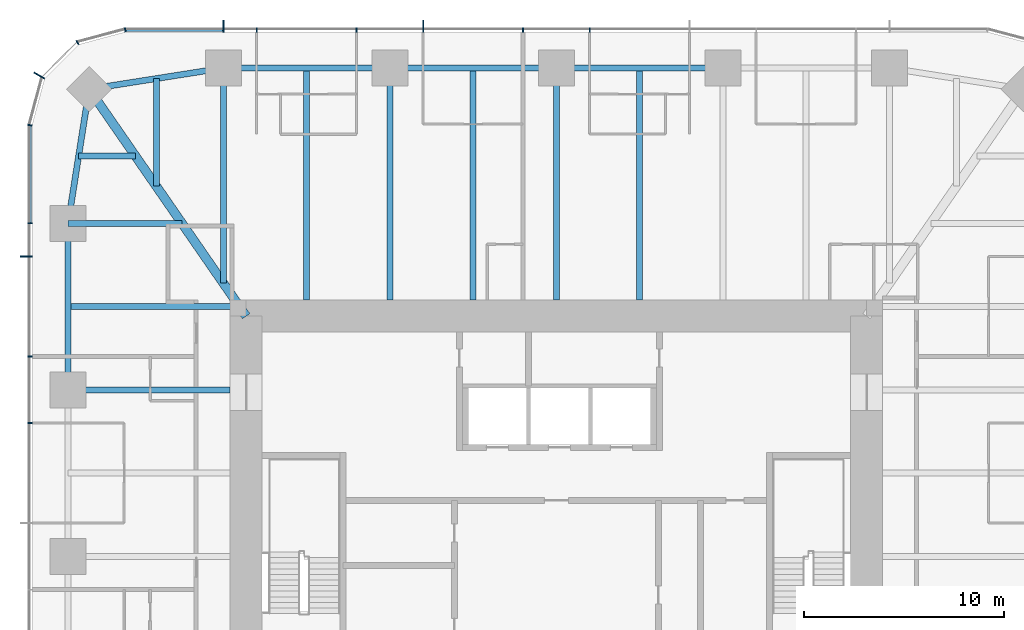
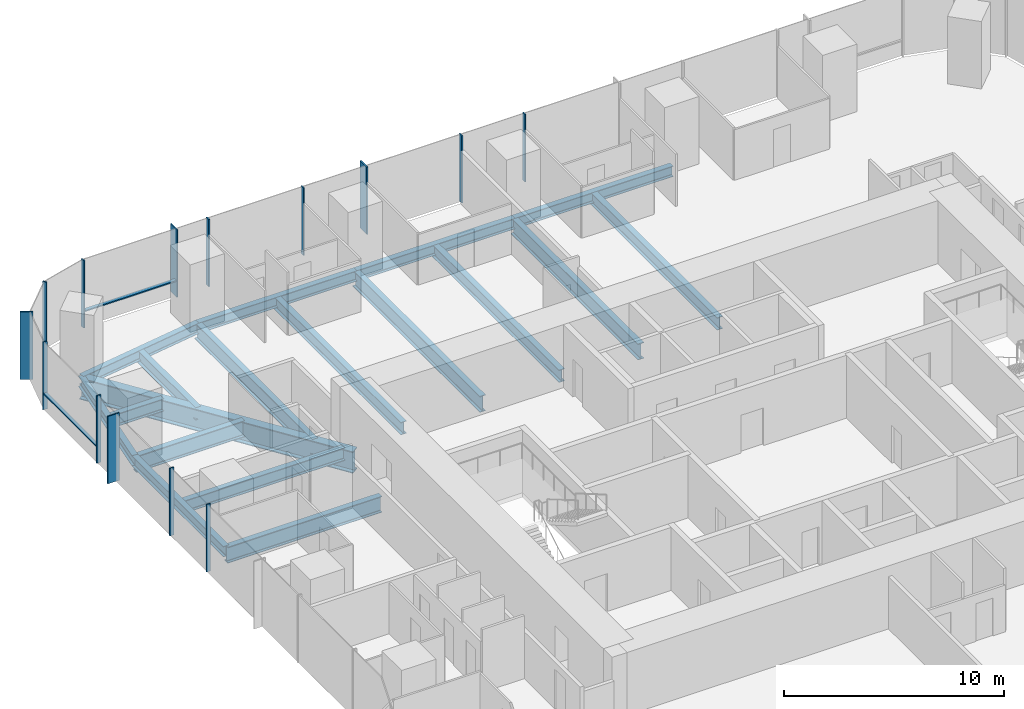
# One storey, part 5 of 12: 18 beams, 16 members, 3 elements without a shape of their own.
"""IFC4 building model written with IfcOpenShell, lengths in metres."""

from ifc_helpers import new_model, si_unit, direction, frame, origin, origin_2d, place, context, subcontext, project, spatial, rectangle, i_section, extrude, material, material_profile, profile_set, type_object, element, aggregate, save


model = new_model("IFC4")

# Units and contexts
model_context = context("Model", 3, precision=1e-05, world=origin(), true_north=direction((0.0, 1.0)))
body_context = subcontext(model_context, "Body", "Model", "MODEL_VIEW")
ifc_project = project(units=[si_unit("LENGTHUNIT", "METRE"), si_unit("AREAUNIT", "SQUARE_METRE"), si_unit("VOLUMEUNIT", "CUBIC_METRE"), si_unit("PLANEANGLEUNIT", "RADIAN"), si_unit("MASSUNIT", "GRAM", prefix="KILO")], contexts=[model_context])

# Site, building, storey
site_placement = place(None, origin())
site = spatial("IfcSite", under=ifc_project, at=site_placement, CompositionType="ELEMENT")
building_placement = place(site_placement, origin())
building = spatial("IfcBuilding", under=site, at=building_placement, Name="Khuree Lantern Residences", CompositionType="ELEMENT")
storey_placement = place(building_placement, frame((0.0, 0.0, 218.25)))
storey = spatial("IfcBuildingStorey", under=building, at=storey_placement, Name="L54", CompositionType="ELEMENT", Elevation=218.25)

# Beams
ifc_material_1 = material(Name="Steel S355", Category="steel")
ifc_material_profile_1 = material_profile(ifc_material_1, i_section(OverallWidth=0.300048828125, OverallDepth=0.68994140625, WebThickness=0.014404296875, FlangeThickness=0.027099609375, FilletRadius=0.027099609375, at=origin_2d()), Name="HE 700 A")
ifc_profile_set_1 = profile_set([ifc_material_profile_1], Name="Steel S355")
beam_type_1 = type_object("IfcBeamType", Name="B-32 SECONDARY BEAM HE 700 A", PredefinedType="BEAM", material=ifc_profile_set_1)
for number, where, z_axis, x_axis, name in (
    (1, (-12.47998046875, 24.39990234375, -0.594970703125), (0.0, -1.0, 0.0), (1.0, 0.0, 0.0), "Secondary beam N1"),
    (2, (-4.159912109375, 24.39990234375, -0.594970703125), (0.0, -1.0, 0.0), (1.0, 0.0, 0.0), "Secondary beam N2"),
    (3, (4.159912109375, 24.39990234375, -0.594970703125), (0.0, -1.0, 0.0), (1.0, 0.0, 0.0), "Secondary beam N3"),
):
    element("IfcBeam", number, at=place(storey_placement, frame(where, z_axis=z_axis, x_axis=x_axis)), inside=storey, type_object=beam_type_1, Name=name, PredefinedType="BEAM", context=body_context, shape_type="SweptSolid", body=[
        extrude(i_section(OverallWidth=0.300048828125, OverallDepth=0.68994140625, WebThickness=0.014404296875, FlangeThickness=0.027099609375, FilletRadius=0.027099609375, at=origin_2d()), origin(), (0.0, 0.0, 1.0), 11.599853515625),
    ])
beam_1_placement = place(storey_placement, frame((-24.39990234375, 12.47998046875, -0.594970703125), z_axis=(1.0, 0.0, 0.0), x_axis=(0.0, 1.0, 0.0)))
element("IfcBeam", 4, at=beam_1_placement, inside=storey, type_object=beam_type_1, Name="Secondary beam W5", PredefinedType="BEAM", context=body_context, shape_type="SweptSolid", body=[
    extrude(i_section(OverallWidth=0.300048828125, OverallDepth=0.68994140625, WebThickness=0.014404296875, FlangeThickness=0.027099609375, FilletRadius=0.027099609375, at=origin_2d()), origin(), (0.0, 0.0, 1.0), 8.56787109375),
])
beam_2_placement = place(storey_placement, frame((-23.872802734375, 19.992919921875, -0.594970703125), z_axis=(1.0, 0.0, 0.0), x_axis=(0.0, 1.0, 0.0)))
element("IfcBeam", 5, at=beam_2_placement, inside=storey, type_object=beam_type_1, Name="Secondary beam W6", PredefinedType="BEAM", context=body_context, shape_type="SweptSolid", body=[
    extrude(i_section(OverallWidth=0.300048828125, OverallDepth=0.68994140625, WebThickness=0.014404296875, FlangeThickness=0.027099609375, FilletRadius=0.027099609375, at=origin_2d()), origin(), (0.0, 0.0, 1.0), 2.845703125),
])
beam_3_placement = place(storey_placement, frame((-19.992919921875, 23.872802734375, -0.594970703125), z_axis=(0.0, -1.0, 0.0), x_axis=(1.0, 0.0, 0.0)))
element("IfcBeam", 6, at=beam_3_placement, inside=storey, type_object=beam_type_1, Name="Secondary beam N6", PredefinedType="BEAM", context=body_context, shape_type="SweptSolid", body=[
    extrude(i_section(OverallWidth=0.300048828125, OverallDepth=0.68994140625, WebThickness=0.014404296875, FlangeThickness=0.027099609375, FilletRadius=0.027099609375, at=origin_2d()), origin(), (0.0, 0.0, 1.0), 5.375732421875),
])
ifc_material_profile_2 = material_profile(ifc_material_1, i_section(OverallWidth=0.300048828125, OverallDepth=0.590087890625, WebThickness=0.012939453125, FlangeThickness=0.02490234375, FilletRadius=0.027099609375, at=origin_2d()), Name="HE 600 A")
ifc_profile_set_2 = profile_set([ifc_material_profile_2], Name="Steel S355")
beam_type_2 = type_object("IfcBeamType", Name="E-32 SPANDREL BEAM HE 600 A", PredefinedType="SPANDREL", material=ifc_profile_set_2)
beam_4_placement = place(storey_placement, frame((-16.639892578125, 24.39990234375, -0.544921875), z_axis=(1.0, 0.0, 0.0), x_axis=(0.0, 1.0, 0.0)))
element("IfcBeam", 7, at=beam_4_placement, inside=storey, type_object=beam_type_2, Name="Spandrel beam N1", PredefinedType="SPANDREL", context=body_context, shape_type="SweptSolid", body=[
    extrude(i_section(OverallWidth=0.300048828125, OverallDepth=0.590087890625, WebThickness=0.012939453125, FlangeThickness=0.02490234375, FilletRadius=0.027099609375, at=origin_2d()), origin(), (0.0, 0.0, 1.0), 8.31982421875),
])
for number, where, z_axis, x_axis, name in (
    (8, (-8.320068359375, 24.39990234375, -0.544921875), (1.0, 0.0, 0.0), (0.0, 1.0, 0.0), "Spandrel beam N2"),
    (9, (0.0, 24.39990234375, -0.544921875), (1.0, 0.0, 0.0), (0.0, 1.0, 0.0), "Spandrel beam N3"),
):
    element("IfcBeam", number, at=place(storey_placement, frame(where, z_axis=z_axis, x_axis=x_axis)), inside=storey, type_object=beam_type_2, Name=name, PredefinedType="SPANDREL", context=body_context, shape_type="SweptSolid", body=[
        extrude(i_section(OverallWidth=0.300048828125, OverallDepth=0.590087890625, WebThickness=0.012939453125, FlangeThickness=0.02490234375, FilletRadius=0.027099609375, at=origin_2d()), origin(), (0.0, 0.0, 1.0), 8.320068359375),
    ])
beam_5_placement = place(storey_placement, frame((-24.39990234375, 8.320068359375, -0.544921875), z_axis=(0.0, 1.0, 0.0), x_axis=(-1.0, 0.0, 0.0)))
element("IfcBeam", 10, at=beam_5_placement, inside=storey, type_object=beam_type_2, Name="Spandrel beam W5", PredefinedType="SPANDREL", context=body_context, shape_type="SweptSolid", body=[
    extrude(i_section(OverallWidth=0.300048828125, OverallDepth=0.590087890625, WebThickness=0.012939453125, FlangeThickness=0.02490234375, FilletRadius=0.027099609375, at=origin_2d()), origin(), (0.0, 0.0, 1.0), 8.31982421875),
])
for number, where, z_axis, x_axis, name in (
    (11, (-24.39990234375, 16.639892578125, -0.544921875), (0.155299507442, 0.98786743189, 0.0), (-0.98786743189, 0.155299507442, 0.0), "Spandrel beam W6"),
    (12, (-23.345703125, 23.345703125, -0.544921875), (0.98786743189, 0.155299507442, 0.0), (-0.155299507442, 0.98786743189, 0.0), "Spandrel beam N6"),
):
    element("IfcBeam", number, at=place(storey_placement, frame(where, z_axis=z_axis, x_axis=x_axis)), inside=storey, type_object=beam_type_2, Name=name, PredefinedType="SPANDREL", context=body_context, shape_type="SweptSolid", body=[
        extrude(i_section(OverallWidth=0.300048828125, OverallDepth=0.590087890625, WebThickness=0.012939453125, FlangeThickness=0.02490234375, FilletRadius=0.027099609375, at=origin_2d()), origin(), (0.0, 0.0, 1.0), 6.7880859375),
    ])

# Curtain wall, members
ifc_material_2 = material(Name="Bronze anodised aluminium", Category="aluminium")
curtain_wall_type_1 = type_object("IfcCurtainWallType", Name="CW-T1 TOWER FACE CURTAIN WALL", PredefinedType="USERDEFINED", material=ifc_material_2)
curtain_wall_1_placement = place(storey_placement, origin())
curtain_wall_1 = element("IfcCurtainWall", 13, at=curtain_wall_1_placement, inside=storey, type_object=curtain_wall_type_1, Name="L54 NORTH FACE CURTAIN WALL", ObjectType="Stick-built curtain wall", PredefinedType="USERDEFINED")
ifc_material_profile_3 = material_profile(ifc_material_2, rectangle(XDim=0.06494140625, YDim=0.60009765625, at=origin_2d()), Name="F1 65X600")
ifc_profile_set_3 = profile_set([ifc_material_profile_3], Name="Bronze anodised aluminium")
member_type_1 = type_object("IfcMemberType", Name="F1 BRONZE FIN MULLION TOWER 65X600", PredefinedType="MULLION", material=ifc_profile_set_3)
member_1_placement = place(storey_placement, frame((-6.656005859375, 26.5, 0.0), z_axis=(0.0, 0.0, 1.0), x_axis=(-1.0, 0.0, 0.0)))
member_1 = element("IfcMember", 14, at=member_1_placement, type_object=member_type_1, Name="L54 NORTH FACE FIN MULLION 25", PredefinedType="MULLION", context=body_context, shape_type="SweptSolid", body=[
    extrude(rectangle(XDim=0.06494140625, YDim=0.60009765625, at=origin_2d()), origin(), (0.0, 0.0, 1.0), 3.75),
])
member_2_placement = place(storey_placement, frame((-16.639892578125, 26.5, 0.0), z_axis=(0.0, 0.0, 1.0), x_axis=(-1.0, 0.0, 0.0)))
member_2 = element("IfcMember", 15, at=member_2_placement, type_object=member_type_1, Name="L54 NORTH FACE FIN MULLION 28", PredefinedType="MULLION", context=body_context, shape_type="SweptSolid", body=[
    extrude(rectangle(XDim=0.06494140625, YDim=0.60009765625, at=origin_2d()), origin(), (0.0, 0.0, 1.0), 3.75),
])

# Curtain wall, member
curtain_wall_type_2 = type_object("IfcCurtainWallType", Name="CW-T2 TOWER CORNER CURTAIN WALL", PredefinedType="USERDEFINED", material=ifc_material_2)
curtain_wall_2_placement = place(storey_placement, origin())
curtain_wall_2 = element("IfcCurtainWall", 16, at=curtain_wall_2_placement, inside=storey, type_object=curtain_wall_type_2, Name="L54 NORTH-WEST CORNER CURTAIN WALL", ObjectType="Faceted corner curtain wall", PredefinedType="USERDEFINED")
member_3_placement = place(storey_placement, frame((-25.8369140625, 24.02490234375, 0.0), z_axis=(0.0, 0.0, 1.0), x_axis=(-0.499999989586, -0.866025409797, 0.0)))
member_3 = element("IfcMember", 17, at=member_3_placement, type_object=member_type_1, Name="L54 NORTH-WEST CORNER FIN MULLION 31", PredefinedType="MULLION", context=body_context, shape_type="SweptSolid", body=[
    extrude(rectangle(XDim=0.06494140625, YDim=0.60009765625, at=origin_2d()), origin(), (0.0, 0.0, 1.0), 3.75),
])

curtain_wall_3_placement = place(storey_placement, origin())
curtain_wall_3 = element("IfcCurtainWall", 18, at=curtain_wall_3_placement, inside=storey, type_object=curtain_wall_type_1, Name="L54 WEST FACE CURTAIN WALL", ObjectType="Stick-built curtain wall", PredefinedType="USERDEFINED")
member_4_placement = place(storey_placement, frame((-26.5, 14.97607421875, 0.0), z_axis=(0.0, 0.0, 1.0), x_axis=(0.0, -1.0, 0.0)))
member_4 = element("IfcMember", 19, at=member_4_placement, type_object=member_type_1, Name="L54 WEST FACE FIN MULLION 34", PredefinedType="MULLION", context=body_context, shape_type="SweptSolid", body=[
    extrude(rectangle(XDim=0.06494140625, YDim=0.60009765625, at=origin_2d()), origin(), (0.0, 0.0, 1.0), 3.75),
])

# Beams
ifc_material_profile_4 = material_profile(ifc_material_1, i_section(OverallWidth=0.300048828125, OverallDepth=0.89990234375, WebThickness=0.0185546875, FlangeThickness=0.034912109375, FilletRadius=0.030029296875, at=origin_2d()), Name="HE 900 B")
ifc_profile_set_4 = profile_set([ifc_material_profile_4], Name="Steel S355")
beam_type_3 = type_object("IfcBeamType", Name="G-32 GIRDER HE 900 B", PredefinedType="BEAM", material=ifc_profile_set_4)
beam_6_placement = place(storey_placement, frame((-16.639892578125, 24.39990234375, -0.699951171875), z_axis=(0.0, -1.0, 0.0), x_axis=(1.0, 0.0, 0.0)))
element("IfcBeam", 20, at=beam_6_placement, inside=storey, type_object=beam_type_3, Name="Girder N1", PredefinedType="BEAM", context=body_context, shape_type="SweptSolid", body=[
    extrude(i_section(OverallWidth=0.300048828125, OverallDepth=0.89990234375, WebThickness=0.0185546875, FlangeThickness=0.034912109375, FilletRadius=0.030029296875, at=origin_2d()), origin(), (0.0, 0.0, 1.0), 10.751220703125),
])
for number, where, z_axis, x_axis, name in (
    (21, (-8.320068359375, 24.39990234375, -0.699951171875), (0.0, -1.0, 0.0), (1.0, 0.0, 0.0), "Girder N2"),
    (22, (0.0, 24.39990234375, -0.699951171875), (0.0, -1.0, 0.0), (1.0, 0.0, 0.0), "Girder N3"),
):
    element("IfcBeam", number, at=place(storey_placement, frame(where, z_axis=z_axis, x_axis=x_axis)), inside=storey, type_object=beam_type_3, Name=name, PredefinedType="BEAM", context=body_context, shape_type="SweptSolid", body=[
        extrude(i_section(OverallWidth=0.300048828125, OverallDepth=0.89990234375, WebThickness=0.0185546875, FlangeThickness=0.034912109375, FilletRadius=0.030029296875, at=origin_2d()), origin(), (0.0, 0.0, 1.0), 11.599853515625),
    ])
beam_7_placement = place(storey_placement, frame((-24.39990234375, 8.320068359375, -0.699951171875), z_axis=(1.0, 0.0, 0.0), x_axis=(0.0, 1.0, 0.0)))
element("IfcBeam", 23, at=beam_7_placement, inside=storey, type_object=beam_type_3, Name="Girder W4", PredefinedType="BEAM", context=body_context, shape_type="SweptSolid", body=[
    extrude(i_section(OverallWidth=0.300048828125, OverallDepth=0.89990234375, WebThickness=0.0185546875, FlangeThickness=0.034912109375, FilletRadius=0.030029296875, at=origin_2d()), origin(), (0.0, 0.0, 1.0), 8.099853515625),
])
beam_8_placement = place(storey_placement, frame((-24.39990234375, 16.639892578125, -0.699951171875), z_axis=(1.0, 0.0, 0.0), x_axis=(0.0, 1.0, 0.0)))
element("IfcBeam", 24, at=beam_8_placement, inside=storey, type_object=beam_type_3, Name="Girder W5", PredefinedType="BEAM", context=body_context, shape_type="SweptSolid", body=[
    extrude(i_section(OverallWidth=0.300048828125, OverallDepth=0.89990234375, WebThickness=0.0185546875, FlangeThickness=0.034912109375, FilletRadius=0.030029296875, at=origin_2d()), origin(), (0.0, 0.0, 1.0), 5.69140625),
])
ifc_material_profile_5 = material_profile(ifc_material_1, i_section(OverallWidth=0.449951171875, OverallDepth=1.199951171875, WebThickness=0.02490234375, FlangeThickness=0.044921875, at=origin_2d()), Name="WELDED I 1200X450X25X45")
ifc_profile_set_5 = profile_set([ifc_material_profile_5], Name="Steel S355")
beam_type_4 = type_object("IfcBeamType", Name="GD-32 CORNER GIRDER WELDED I 1200X450X25X45", PredefinedType="BEAM", material=ifc_profile_set_5)
beam_9_placement = place(storey_placement, frame((-23.345703125, 23.345703125, -0.85009765625), z_axis=(0.56876813501, -0.822497907959, 0.0), x_axis=(0.822497907959, 0.56876813501, 0.0)))
element("IfcBeam", 25, at=beam_9_placement, inside=storey, type_object=beam_type_4, Name="Corner girder NW", PredefinedType="BEAM", context=body_context, shape_type="SweptSolid", body=[
    extrude(i_section(OverallWidth=0.449951171875, OverallDepth=1.199951171875, WebThickness=0.02490234375, FlangeThickness=0.044921875, at=origin_2d()), origin(), (0.0, 0.0, 1.0), 13.794189453125),
])

# Member
ifc_material_profile_6 = material_profile(ifc_material_2, rectangle(XDim=0.06494140625, YDim=0.219970703125, at=origin_2d()), Name="M1 65X220")
ifc_profile_set_6 = profile_set([ifc_material_profile_6], Name="Bronze anodised aluminium")
member_type_2 = type_object("IfcMemberType", Name="M1 BRONZE MULLION TOWER 65X220", PredefinedType="MULLION", material=ifc_profile_set_6)
member_5_placement = place(storey_placement, frame((1.6640625, 26.31005859375, 0.0), z_axis=(0.0, 0.0, 1.0), x_axis=(-1.0, 0.0, 0.0)))
member_5 = element("IfcMember", 26, at=member_5_placement, type_object=member_type_2, Name="L54 NORTH FACE MULLION 23", PredefinedType="MULLION", context=body_context, shape_type="SweptSolid", body=[
    extrude(rectangle(XDim=0.06494140625, YDim=0.219970703125, at=origin_2d()), origin(), (0.0, 0.0, 1.0), 3.75),
])

member_6_placement = place(storey_placement, frame((-1.6640625, 26.31005859375, 0.0), z_axis=(0.0, 0.0, 1.0), x_axis=(-1.0, 0.0, 0.0)))
member_6 = element("IfcMember", 27, at=member_6_placement, type_object=member_type_2, Name="L54 NORTH FACE MULLION 24", PredefinedType="MULLION", context=body_context, shape_type="SweptSolid", body=[
    extrude(rectangle(XDim=0.06494140625, YDim=0.219970703125, at=origin_2d()), origin(), (0.0, 0.0, 1.0), 3.75),
])

member_7_placement = place(storey_placement, frame((-9.98388671875, 26.31005859375, 0.0), z_axis=(0.0, 0.0, 1.0), x_axis=(-1.0, 0.0, 0.0)))
member_7 = element("IfcMember", 28, at=member_7_placement, type_object=member_type_2, Name="L54 NORTH FACE MULLION 26", PredefinedType="MULLION", context=body_context, shape_type="SweptSolid", body=[
    extrude(rectangle(XDim=0.06494140625, YDim=0.219970703125, at=origin_2d()), origin(), (0.0, 0.0, 1.0), 3.75),
])

member_8_placement = place(storey_placement, frame((-14.97607421875, 26.31005859375, 0.0), z_axis=(0.0, 0.0, 1.0), x_axis=(-1.0, 0.0, 0.0)))
member_8 = element("IfcMember", 29, at=member_8_placement, type_object=member_type_2, Name="L54 NORTH FACE MULLION 27", PredefinedType="MULLION", context=body_context, shape_type="SweptSolid", body=[
    extrude(rectangle(XDim=0.06494140625, YDim=0.219970703125, at=origin_2d()), origin(), (0.0, 0.0, 1.0), 3.75),
])

member_9_placement = place(storey_placement, frame((-21.544921875, 26.311767578125, 0.0), z_axis=(0.0, 0.0, 1.0), x_axis=(-0.991444862943, -0.130526180298, 0.0)))
member_9 = element("IfcMember", 30, at=member_9_placement, type_object=member_type_2, Name="L54 NORTH-WEST CORNER MULLION 29", PredefinedType="MULLION", context=body_context, shape_type="SweptSolid", body=[
    extrude(rectangle(XDim=0.06494140625, YDim=0.219970703125, at=origin_2d()), origin(), (0.0, 0.0, 1.0), 3.75),
])

member_10_placement = place(storey_placement, frame((-23.929931640625, 25.67236328125, 0.0), z_axis=(0.0, 0.0, 1.0), x_axis=(-0.866025409797, -0.499999989586, 0.0)))
member_10 = element("IfcMember", 31, at=member_10_placement, type_object=member_type_2, Name="L54 NORTH-WEST CORNER MULLION 30", PredefinedType="MULLION", context=body_context, shape_type="SweptSolid", body=[
    extrude(rectangle(XDim=0.06494140625, YDim=0.219970703125, at=origin_2d()), origin(), (0.0, 0.0, 1.0), 3.75),
])

aggregate(curtain_wall_2, [member_9, member_10, member_3])

member_11_placement = place(storey_placement, frame((-26.311767578125, 21.544921875, 0.0), z_axis=(0.0, 0.0, 1.0), x_axis=(-0.130526180298, -0.991444862943, 0.0)))
member_11 = element("IfcMember", 32, at=member_11_placement, type_object=member_type_2, Name="L54 WEST FACE MULLION 32", PredefinedType="MULLION", context=body_context, shape_type="SweptSolid", body=[
    extrude(rectangle(XDim=0.06494140625, YDim=0.219970703125, at=origin_2d()), origin(), (0.0, 0.0, 1.0), 3.75),
])

member_12_placement = place(storey_placement, frame((-26.31005859375, 16.639892578125, 0.0), z_axis=(0.0, 0.0, 1.0), x_axis=(0.0, -1.0, 0.0)))
member_12 = element("IfcMember", 33, at=member_12_placement, type_object=member_type_2, Name="L54 WEST FACE MULLION 33", PredefinedType="MULLION", context=body_context, shape_type="SweptSolid", body=[
    extrude(rectangle(XDim=0.06494140625, YDim=0.219970703125, at=origin_2d()), origin(), (0.0, 0.0, 1.0), 3.75),
])

member_13_placement = place(storey_placement, frame((-26.31005859375, 9.98388671875, 0.0), z_axis=(0.0, 0.0, 1.0), x_axis=(0.0, -1.0, 0.0)))
member_13 = element("IfcMember", 34, at=member_13_placement, type_object=member_type_2, Name="L54 WEST FACE MULLION 35", PredefinedType="MULLION", context=body_context, shape_type="SweptSolid", body=[
    extrude(rectangle(XDim=0.06494140625, YDim=0.219970703125, at=origin_2d()), origin(), (0.0, 0.0, 1.0), 3.75),
])

member_14_placement = place(storey_placement, frame((-26.31005859375, 6.656005859375, 0.0), z_axis=(0.0, 0.0, 1.0), x_axis=(0.0, -1.0, 0.0)))
member_14 = element("IfcMember", 35, at=member_14_placement, type_object=member_type_2, Name="L54 WEST FACE MULLION 36", PredefinedType="MULLION", context=body_context, shape_type="SweptSolid", body=[
    extrude(rectangle(XDim=0.06494140625, YDim=0.219970703125, at=origin_2d()), origin(), (0.0, 0.0, 1.0), 3.75),
])

ifc_material_profile_7 = material_profile(ifc_material_2, rectangle(XDim=0.179931640625, YDim=0.06494140625, at=origin_2d()), Name="T1 180X65")
ifc_profile_set_7 = profile_set([ifc_material_profile_7], Name="Bronze anodised aluminium")
member_type_3 = type_object("IfcMemberType", Name="TRANSOM T1 TOWER 180X65", PredefinedType="USERDEFINED", material=ifc_profile_set_7)
member_15_placement = place(storey_placement, frame((-16.672607421875, 26.320068359375, 0.89990234375), z_axis=(-1.0, 0.0, 0.0), x_axis=(0.0, -1.0, 0.0)))
member_15 = element("IfcMember", 36, at=member_15_placement, type_object=member_type_3, Name="L54 NORTH FACE TRANSOM 28.1", ObjectType="Transom", PredefinedType="USERDEFINED", context=body_context, shape_type="SweptSolid", body=[
    extrude(rectangle(XDim=0.179931640625, YDim=0.06494140625, at=origin_2d()), origin(), (0.0, 0.0, 1.0), 4.828857421875),
])

aggregate(curtain_wall_1, [member_5, member_6, member_1, member_7, member_8, member_2, member_15])

member_16_placement = place(storey_placement, frame((-26.320068359375, 21.50146484375, 0.89990234375), z_axis=(0.0, -1.0, 0.0), x_axis=(1.0, 0.0, 0.0)))
member_16 = element("IfcMember", 37, at=member_16_placement, type_object=member_type_3, Name="L54 WEST FACE TRANSOM 32.1", ObjectType="Transom", PredefinedType="USERDEFINED", context=body_context, shape_type="SweptSolid", body=[
    extrude(rectangle(XDim=0.179931640625, YDim=0.06494140625, at=origin_2d()), origin(), (0.0, 0.0, 1.0), 4.828857421875),
])

aggregate(curtain_wall_3, [member_11, member_12, member_4, member_13, member_14, member_16])

save(model, "model.ifc")
